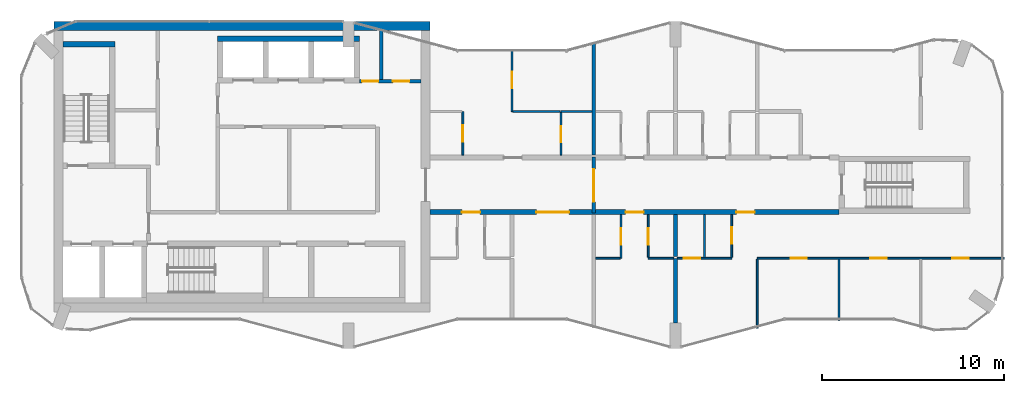
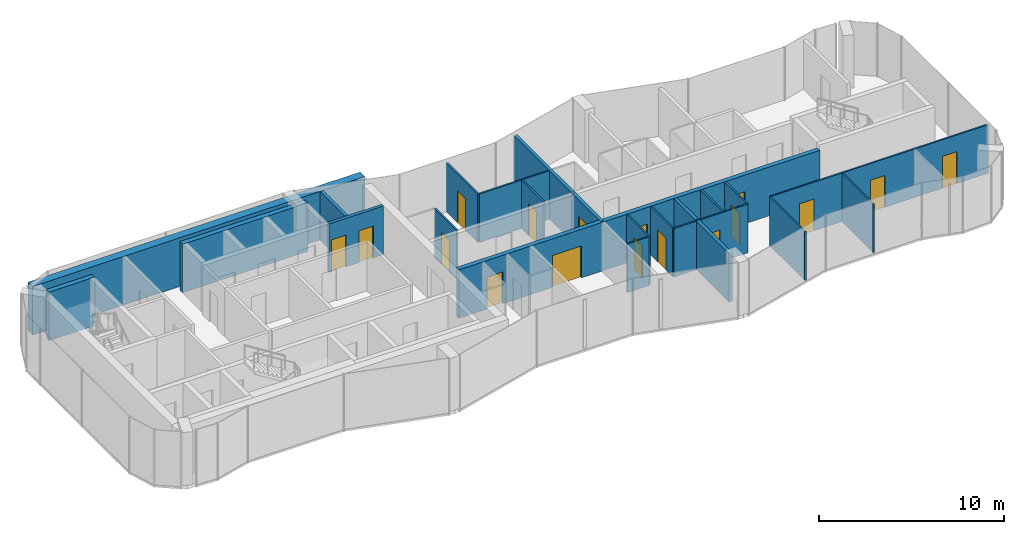
# One storey, part 7 of 9: 25 walls, 17 doors, 17 openings.
"""IFC4 building model written with IfcOpenShell, lengths in metres."""

from ifc_helpers import new_model, si_unit, direction, frame, frame_2d, origin, place, context, subcontext, project, spatial, rectangle, extrude, material, layer, layer_set, type_object, element, fill, save


model = new_model("IFC4")

# Units and contexts
model_context = context("Model", 3, precision=1e-05, world=origin(), true_north=direction((0.0, 1.0)))
body_context = subcontext(model_context, "Body", "Model", "MODEL_VIEW")
ifc_project = project(units=[si_unit("LENGTHUNIT", "METRE"), si_unit("AREAUNIT", "SQUARE_METRE"), si_unit("VOLUMEUNIT", "CUBIC_METRE"), si_unit("PLANEANGLEUNIT", "RADIAN"), si_unit("MASSUNIT", "GRAM", prefix="KILO")], contexts=[model_context])

# Site, building, storey
site_placement = place(None, origin())
site = spatial("IfcSite", under=ifc_project, at=site_placement, CompositionType="ELEMENT")
building_placement = place(site_placement, origin())
building = spatial("IfcBuilding", under=site, at=building_placement, Name="Plateau Cross Towers", CompositionType="ELEMENT")
storey_placement = place(building_placement, frame((0.0, 0.0, 232.89990234375)))
storey = spatial("IfcBuildingStorey", under=building, at=storey_placement, Name="L61", CompositionType="ELEMENT", Elevation=232.89990234375)

# Wall, openings, doors
ifc_material_1 = material(Name="Concrete block, plastered both sides", Category="concrete")
ifc_layer_1 = layer(ifc_material_1, 0.199951171875)
ifc_layer_set_1 = layer_set([ifc_layer_1], Name="Concrete block, plastered both sides")
wall_type_1 = type_object("IfcWallType", Name="Core partition 200", PredefinedType="PARTITIONING", material=ifc_layer_set_1)
wall_1_placement = place(storey_placement, frame((18.60009765625, 14.699951171875, 0.0), z_axis=(0.0, 0.0, 1.0), x_axis=(1.0, 0.0, 0.0)))
wall_1 = element("IfcWall", 1, at=wall_1_placement, inside=storey, type_object=wall_type_1, Name="Core partition", PredefinedType="PARTITIONING", context=body_context, shape_type="SweptSolid", body=[
    extrude(rectangle(XDim=3.39990234375, YDim=0.199951171875, at=frame_2d((1.699951171875, 0.0))), origin(), (0.0, 0.0, 1.0), 3.2001953125),
])
opening_1_placement = place(wall_1_placement, frame((0.14990234375, 0.0, 0.0)))
opening_1 = element("IfcOpeningElement", 2, at=opening_1_placement, cuts=wall_1, Name="Opening RD2", PredefinedType="OPENING", context=body_context, shape_type="SweptSolid", body=[
    extrude(rectangle(XDim=0.89990234375, YDim=2.10009765625, at=frame_2d((0.449951171875, 1.050048828125))), frame((0.0, 0.10986328125, 0.0), z_axis=(0.0, -1.0, 0.0), x_axis=(1.0, 0.0, 0.0)), (0.0, 0.0, 1.0), 0.219970703125),
])
opening_2_placement = place(wall_1_placement, frame((1.85009765625, 0.0, 0.0)))
opening_2 = element("IfcOpeningElement", 3, at=opening_2_placement, cuts=wall_1, Name="Opening RD2", PredefinedType="OPENING", context=body_context, shape_type="SweptSolid", body=[
    extrude(rectangle(XDim=0.89990234375, YDim=2.10009765625, at=frame_2d((0.449951171875, 1.050048828125))), frame((0.0, 0.10986328125, 0.0), z_axis=(0.0, -1.0, 0.0), x_axis=(1.0, 0.0, 0.0)), (0.0, 0.0, 1.0), 0.219970703125),
])
ifc_material_2 = material(Name="Steel, fire-resisting leaf", Category="steel")
door_type_1 = type_object("IfcDoorType", Name="Core riser door 900", OperationType="NOTDEFINED", PredefinedType="DOOR", material=ifc_material_2)
door_1_placement = place(opening_1_placement, origin())
door_1 = element("IfcDoor", 4, at=door_1_placement, inside=storey, type_object=door_type_1, Name="Core riser door RD2", OperationType="SINGLE_SWING_LEFT", OverallHeight=2.10009765625, OverallWidth=0.89990234375, PredefinedType="DOOR", context=body_context, shape_type="SweptSolid", body=[
    extrude(rectangle(XDim=0.89990234375, YDim=2.10009765625, at=frame_2d((0.449951171875, 1.050048828125))), frame((0.0, 0.02490234375, 0.0), z_axis=(0.0, -1.0, 0.0), x_axis=(1.0, 0.0, 0.0)), (0.0, 0.0, 1.0), 0.050048828125),
])
fill(opening_1, door_1)
door_2_placement = place(opening_2_placement, origin())
door_2 = element("IfcDoor", 5, at=door_2_placement, inside=storey, type_object=door_type_1, Name="Core riser door RD2", OperationType="SINGLE_SWING_LEFT", OverallHeight=2.10009765625, OverallWidth=0.89990234375, PredefinedType="DOOR", context=body_context, shape_type="SweptSolid", body=[
    extrude(rectangle(XDim=0.89990234375, YDim=2.10009765625, at=frame_2d((0.449951171875, 1.050048828125))), frame((0.0, 0.02490234375, 0.0), z_axis=(0.0, -1.0, 0.0), x_axis=(1.0, 0.0, 0.0)), (0.0, 0.0, 1.0), 0.050048828125),
])
fill(opening_2, door_2)

# Walls
wall_2_placement = place(storey_placement, frame((19.800048828125, 14.800048828125, 0.0), z_axis=(0.0, 0.0, 1.0), x_axis=(0.0, 1.0, 0.0)))
element("IfcWall", 6, at=wall_2_placement, inside=storey, type_object=wall_type_1, Name="Core partition", PredefinedType="PARTITIONING", context=body_context, shape_type="SweptSolid", body=[
    extrude(rectangle(XDim=2.699951171875, YDim=0.199951171875, at=frame_2d((1.35009765625, 0.0))), origin(), (0.0, 0.0, 1.0), 3.2001953125),
])
ifc_material_3 = material(Name="Concrete C60/75", Category="concrete")
ifc_layer_2 = layer(ifc_material_3, 0.300048828125)
ifc_layer_set_2 = layer_set([ifc_layer_2], Name="Concrete C60/75")
wall_type_2 = type_object("IfcWallType", Name="Core shaft wall 300", PredefinedType="SHEAR", material=ifc_layer_set_2)
wall_3_placement = place(storey_placement, frame((2.300048828125, 16.75, 0.0), z_axis=(0.0, 0.0, 1.0), x_axis=(1.0, 0.0, 0.0)))
element("IfcWall", 7, at=wall_3_placement, inside=storey, type_object=wall_type_2, Name="A-st1-N@L61", PredefinedType="SHEAR", context=body_context, shape_type="SweptSolid", body=[
    extrude(rectangle(XDim=2.849853515625, YDim=0.300048828125, at=frame_2d((1.4248046875, 0.0))), origin(), (0.0, 0.0, 1.0), 3.2001953125),
])
wall_4_placement = place(storey_placement, frame((10.800048828125, 17.050048828125, 0.0), z_axis=(0.0, 0.0, 1.0), x_axis=(1.0, 0.0, 0.0)))
element("IfcWall", 8, at=wall_4_placement, inside=storey, type_object=wall_type_2, Name="A-nb-back@L61", PredefinedType="SHEAR", context=body_context, shape_type="SweptSolid", body=[
    extrude(rectangle(XDim=7.800048828125, YDim=0.300048828125, at=frame_2d((3.89990234375, 0.0))), origin(), (0.0, 0.0, 1.0), 3.2001953125),
])
ifc_layer_3 = layer(ifc_material_3, 0.5)
ifc_layer_set_3 = layer_set([ifc_layer_3], Name="Concrete C60/75")
wall_type_3 = type_object("IfcWallType", Name="Core shell wall 500", PredefinedType="SHEAR", material=ifc_layer_set_3)
wall_5_placement = place(storey_placement, frame((1.800048828125, 17.75, 0.0), z_axis=(0.0, 0.0, 1.0), x_axis=(1.0, 0.0, 0.0)))
element("IfcWall", 9, at=wall_5_placement, inside=storey, type_object=wall_type_3, Name="A-core-N@L61", PredefinedType="SHEAR", context=body_context, shape_type="SweptSolid", body=[
    extrude(rectangle(XDim=20.699951171875, YDim=0.5, at=frame_2d((10.35009765625, 0.0))), origin(), (0.0, 0.0, 1.0), 3.2001953125),
])

# Wall, openings, doors
ifc_layer_4 = layer(ifc_material_3, 0.27490234375)
ifc_layer_set_4 = layer_set([ifc_layer_4], Name="Concrete C60/75")
wall_type_4 = type_object("IfcWallType", Name="Corridor wall 275", PredefinedType="SHEAR", material=ifc_layer_set_4)
wall_6_placement = place(storey_placement, frame((22.5, 7.5, 0.0), z_axis=(0.0, 0.0, 1.0), x_axis=(1.0, 0.0, 0.0)))
wall_6 = element("IfcWall", 10, at=wall_6_placement, inside=storey, type_object=wall_type_4, Name="A-cw-S1@L61", PredefinedType="SHEAR", context=body_context, shape_type="SweptSolid", body=[
    extrude(rectangle(XDim=22.5, YDim=0.27490234375, at=frame_2d((11.25, 0.0))), origin(), (0.0, 0.0, 1.0), 3.2001953125),
])
opening_3_placement = place(wall_6_placement, frame((1.75, 0.0, 0.0)))
opening_3 = element("IfcOpeningElement", 11, at=opening_3_placement, cuts=wall_6, Name="Opening 61-01", PredefinedType="OPENING", context=body_context, shape_type="SweptSolid", body=[
    extrude(rectangle(XDim=1.0, YDim=2.10009765625, at=frame_2d((0.5, 1.050048828125))), frame((0.0, 0.1474609375, 0.0), z_axis=(0.0, -1.0, 0.0), x_axis=(1.0, 0.0, 0.0)), (0.0, 0.0, 1.0), 0.294921875),
])
opening_4_placement = place(wall_6_placement, frame((5.85009765625, 0.0, 0.0)))
opening_4 = element("IfcOpeningElement", 12, at=opening_4_placement, cuts=wall_6, Name="Opening 61-02", PredefinedType="OPENING", context=body_context, shape_type="SweptSolid", body=[
    extrude(rectangle(XDim=1.800048828125, YDim=2.10009765625, at=frame_2d((0.89990234375, 1.050048828125))), frame((0.0, 0.1474609375, 0.0), z_axis=(0.0, -1.0, 0.0), x_axis=(1.0, 0.0, 0.0)), (0.0, 0.0, 1.0), 0.294921875),
])
opening_5_placement = place(wall_6_placement, frame((10.75, 0.0, 0.0)))
opening_5 = element("IfcOpeningElement", 13, at=opening_5_placement, cuts=wall_6, Name="Opening 61-03", PredefinedType="OPENING", context=body_context, shape_type="SweptSolid", body=[
    extrude(rectangle(XDim=1.0, YDim=2.10009765625, at=frame_2d((0.5, 1.050048828125))), frame((0.0, 0.1474609375, 0.0), z_axis=(0.0, -1.0, 0.0), x_axis=(1.0, 0.0, 0.0)), (0.0, 0.0, 1.0), 0.294921875),
])
opening_6_placement = place(wall_6_placement, frame((16.85009765625, 0.0, 0.0)))
opening_6 = element("IfcOpeningElement", 14, at=opening_6_placement, cuts=wall_6, Name="Opening 61-04", PredefinedType="OPENING", context=body_context, shape_type="SweptSolid", body=[
    extrude(rectangle(XDim=1.0, YDim=2.10009765625, at=frame_2d((0.5, 1.050048828125))), frame((0.0, 0.1474609375, 0.0), z_axis=(0.0, -1.0, 0.0), x_axis=(1.0, 0.0, 0.0)), (0.0, 0.0, 1.0), 0.294921875),
])
ifc_material_4 = material(Name="Timber, fire-resisting leaf", Category="wood")
door_type_2 = type_object("IfcDoorType", Name="Flat entrance door 1000", OperationType="NOTDEFINED", PredefinedType="DOOR", material=ifc_material_4)
door_3_placement = place(opening_3_placement, origin())
door_3 = element("IfcDoor", 15, at=door_3_placement, inside=storey, type_object=door_type_2, Name="Door 61-01", OperationType="SINGLE_SWING_LEFT", OverallHeight=2.10009765625, OverallWidth=1.0, PredefinedType="DOOR", context=body_context, shape_type="SweptSolid", body=[
    extrude(rectangle(XDim=1.0, YDim=2.10009765625, at=frame_2d((0.5, 1.050048828125))), frame((0.0, 0.02490234375, 0.0), z_axis=(0.0, -1.0, 0.0), x_axis=(1.0, 0.0, 0.0)), (0.0, 0.0, 1.0), 0.050048828125),
])
fill(opening_3, door_3)
door_4_placement = place(opening_5_placement, origin())
door_4 = element("IfcDoor", 16, at=door_4_placement, inside=storey, type_object=door_type_2, Name="Door 61-03", OperationType="SINGLE_SWING_LEFT", OverallHeight=2.10009765625, OverallWidth=1.0, PredefinedType="DOOR", context=body_context, shape_type="SweptSolid", body=[
    extrude(rectangle(XDim=1.0, YDim=2.10009765625, at=frame_2d((0.5, 1.050048828125))), frame((0.0, 0.02490234375, 0.0), z_axis=(0.0, -1.0, 0.0), x_axis=(1.0, 0.0, 0.0)), (0.0, 0.0, 1.0), 0.050048828125),
])
fill(opening_5, door_4)
door_5_placement = place(opening_6_placement, origin())
door_5 = element("IfcDoor", 17, at=door_5_placement, inside=storey, type_object=door_type_2, Name="Door 61-04", OperationType="SINGLE_SWING_RIGHT", OverallHeight=2.10009765625, OverallWidth=1.0, PredefinedType="DOOR", context=body_context, shape_type="SweptSolid", body=[
    extrude(rectangle(XDim=1.0, YDim=2.10009765625, at=frame_2d((0.5, 1.050048828125))), frame((0.0, 0.02490234375, 0.0), z_axis=(0.0, -1.0, 0.0), x_axis=(1.0, 0.0, 0.0)), (0.0, 0.0, 1.0), 0.050048828125),
])
fill(opening_6, door_5)
ifc_material_5 = material(Name="Timber, fire-resisting leaves", Category="wood")
door_type_3 = type_object("IfcDoorType", Name="Flat floor fire door pair 1800", OperationType="NOTDEFINED", PredefinedType="DOOR", material=ifc_material_5)
door_6_placement = place(opening_4_placement, origin())
door_6 = element("IfcDoor", 18, at=door_6_placement, inside=storey, type_object=door_type_3, Name="Door 61-02", OperationType="SINGLE_SWING_LEFT", OverallHeight=2.10009765625, OverallWidth=1.800048828125, PredefinedType="DOOR", context=body_context, shape_type="SweptSolid", body=[
    extrude(rectangle(XDim=1.800048828125, YDim=2.10009765625, at=frame_2d((0.89990234375, 1.050048828125))), frame((0.0, 0.02490234375, 0.0), z_axis=(0.0, -1.0, 0.0), x_axis=(1.0, 0.0, 0.0)), (0.0, 0.0, 1.0), 0.050048828125),
])
fill(opening_4, door_6)

ifc_material_6 = material(Name="Gypsum board on steel studs", Category="steel")
ifc_layer_5 = layer(ifc_material_6, 0.10009765625)
ifc_layer_set_5 = layer_set([ifc_layer_5], Name="Gypsum board on steel studs")
wall_type_5 = type_object("IfcWallType", Name="Flat partition 100", PredefinedType="PARTITIONING", material=ifc_layer_set_5)
wall_7_placement = place(storey_placement, frame((54.080078125, 4.96240234375, 0.0), z_axis=(0.0, 0.0, 1.0), x_axis=(-1.0, 0.0, 0.0)))
wall_7 = element("IfcWall", 19, at=wall_7_placement, inside=storey, type_object=wall_type_5, Name="Partition wall", PredefinedType="PARTITIONING", context=body_context, shape_type="SweptSolid", body=[
    extrude(rectangle(XDim=13.580078125, YDim=0.10009765625, at=frame_2d((6.7900390625, 0.0))), origin(), (0.0, 0.0, 1.0), 3.2001953125),
])
opening_7_placement = place(wall_7_placement, frame((10.85009765625, 0.0, 0.0)))
opening_7 = element("IfcOpeningElement", 20, at=opening_7_placement, cuts=wall_7, Name="Opening 61-18", PredefinedType="OPENING", context=body_context, shape_type="SweptSolid", body=[
    extrude(rectangle(XDim=0.89990234375, YDim=2.10009765625, at=frame_2d((0.449951171875, 1.050048828125))), frame((0.0, 0.06005859375, 0.0), z_axis=(0.0, -1.0, 0.0), x_axis=(1.0, 0.0, 0.0)), (0.0, 0.0, 1.0), 0.1201171875),
])
opening_8_placement = place(wall_7_placement, frame((6.449951171875, 0.0, 0.0)))
opening_8 = element("IfcOpeningElement", 21, at=opening_8_placement, cuts=wall_7, Name="Opening 61-19", PredefinedType="OPENING", context=body_context, shape_type="SweptSolid", body=[
    extrude(rectangle(XDim=0.89990234375, YDim=2.10009765625, at=frame_2d((0.449951171875, 1.050048828125))), frame((0.0, 0.06005859375, 0.0), z_axis=(0.0, -1.0, 0.0), x_axis=(1.0, 0.0, 0.0)), (0.0, 0.0, 1.0), 0.1201171875),
])
opening_9_placement = place(wall_7_placement, frame((1.949951171875, 0.0, 0.0)))
opening_9 = element("IfcOpeningElement", 22, at=opening_9_placement, cuts=wall_7, Name="Opening 61-20", PredefinedType="OPENING", context=body_context, shape_type="SweptSolid", body=[
    extrude(rectangle(XDim=0.89990234375, YDim=2.10009765625, at=frame_2d((0.449951171875, 1.050048828125))), frame((0.0, 0.06005859375, 0.0), z_axis=(0.0, -1.0, 0.0), x_axis=(1.0, 0.0, 0.0)), (0.0, 0.0, 1.0), 0.1201171875),
])
ifc_material_7 = material(Name="Timber leaf", Category="wood")
door_type_4 = type_object("IfcDoorType", Name="Flat room door 900", OperationType="NOTDEFINED", PredefinedType="DOOR", material=ifc_material_7)
door_7_placement = place(opening_7_placement, origin())
door_7 = element("IfcDoor", 23, at=door_7_placement, inside=storey, type_object=door_type_4, Name="Door 61-18", OperationType="SINGLE_SWING_RIGHT", OverallHeight=2.10009765625, OverallWidth=0.89990234375, PredefinedType="DOOR", context=body_context, shape_type="SweptSolid", body=[
    extrude(rectangle(XDim=0.89990234375, YDim=2.10009765625, at=frame_2d((0.449951171875, 1.050048828125))), frame((0.0, 0.02490234375, 0.0), z_axis=(0.0, -1.0, 0.0), x_axis=(1.0, 0.0, 0.0)), (0.0, 0.0, 1.0), 0.050048828125),
])
fill(opening_7, door_7)
door_8_placement = place(opening_8_placement, origin())
door_8 = element("IfcDoor", 24, at=door_8_placement, inside=storey, type_object=door_type_4, Name="Door 61-19", OperationType="SINGLE_SWING_RIGHT", OverallHeight=2.10009765625, OverallWidth=0.89990234375, PredefinedType="DOOR", context=body_context, shape_type="SweptSolid", body=[
    extrude(rectangle(XDim=0.89990234375, YDim=2.10009765625, at=frame_2d((0.449951171875, 1.050048828125))), frame((0.0, 0.02490234375, 0.0), z_axis=(0.0, -1.0, 0.0), x_axis=(1.0, 0.0, 0.0)), (0.0, 0.0, 1.0), 0.050048828125),
])
fill(opening_8, door_8)
door_9_placement = place(opening_9_placement, origin())
door_9 = element("IfcDoor", 25, at=door_9_placement, inside=storey, type_object=door_type_4, Name="Door 61-20", OperationType="SINGLE_SWING_LEFT", OverallHeight=2.10009765625, OverallWidth=0.89990234375, PredefinedType="DOOR", context=body_context, shape_type="SweptSolid", body=[
    extrude(rectangle(XDim=0.89990234375, YDim=2.10009765625, at=frame_2d((0.449951171875, 1.050048828125))), frame((0.0, 0.02490234375, 0.0), z_axis=(0.0, -1.0, 0.0), x_axis=(1.0, 0.0, 0.0)), (0.0, 0.0, 1.0), 0.050048828125),
])
fill(opening_9, door_9)

# Walls
wall_8_placement = place(storey_placement, frame((31.60009765625, 4.96240234375, 0.0), z_axis=(0.0, 0.0, 1.0), x_axis=(1.0, 0.0, 0.0)))
element("IfcWall", 26, at=wall_8_placement, inside=storey, type_object=wall_type_5, Name="Partition wall", PredefinedType="PARTITIONING", context=body_context, shape_type="SweptSolid", body=[
    extrude(rectangle(XDim=1.349853515625, YDim=0.10009765625, at=frame_2d((0.6748046875, 0.0))), origin(), (0.0, 0.0, 1.0), 3.2001953125),
])
wall_9_placement = place(storey_placement, frame((34.5, 4.96240234375, 0.0), z_axis=(0.0, 0.0, 1.0), x_axis=(1.0, 0.0, 0.0)))
element("IfcWall", 27, at=wall_9_placement, inside=storey, type_object=wall_type_5, Name="Partition wall", PredefinedType="PARTITIONING", context=body_context, shape_type="SweptSolid", body=[
    extrude(rectangle(XDim=1.39990234375, YDim=0.10009765625, at=frame_2d((0.699951171875, 0.0))), origin(), (0.0, 0.0, 1.0), 3.2001953125),
])

# Wall, opening, door
wall_10_placement = place(storey_placement, frame((36.10009765625, 4.96240234375, 0.0), z_axis=(0.0, 0.0, 1.0), x_axis=(1.0, 0.0, 0.0)))
wall_10 = element("IfcWall", 28, at=wall_10_placement, inside=storey, type_object=wall_type_5, Name="Partition wall", PredefinedType="PARTITIONING", context=body_context, shape_type="SweptSolid", body=[
    extrude(rectangle(XDim=3.0, YDim=0.10009765625, at=frame_2d((1.5, 0.0))), origin(), (0.0, 0.0, 1.0), 3.2001953125),
])
opening_10_placement = place(wall_10_placement, frame((0.35009765625, 0.0, 0.0)))
opening_10 = element("IfcOpeningElement", 29, at=opening_10_placement, cuts=wall_10, Name="Opening 61-16", PredefinedType="OPENING", context=body_context, shape_type="SweptSolid", body=[
    extrude(rectangle(XDim=0.89990234375, YDim=2.10009765625, at=frame_2d((0.449951171875, 1.050048828125))), frame((0.0, 0.06005859375, 0.0), z_axis=(0.0, -1.0, 0.0), x_axis=(1.0, 0.0, 0.0)), (0.0, 0.0, 1.0), 0.1201171875),
])
door_10_placement = place(opening_10_placement, origin())
door_10 = element("IfcDoor", 30, at=door_10_placement, inside=storey, type_object=door_type_4, Name="Door 61-16", OperationType="SINGLE_SWING_LEFT", OverallHeight=2.10009765625, OverallWidth=0.89990234375, PredefinedType="DOOR", context=body_context, shape_type="SweptSolid", body=[
    extrude(rectangle(XDim=0.89990234375, YDim=2.10009765625, at=frame_2d((0.449951171875, 1.050048828125))), frame((0.0, 0.02490234375, 0.0), z_axis=(0.0, -1.0, 0.0), x_axis=(1.0, 0.0, 0.0)), (0.0, 0.0, 1.0), 0.050048828125),
])
fill(opening_10, door_10)

# Walls
wall_11_placement = place(storey_placement, frame((31.39990234375, 13.03759765625, 0.0), z_axis=(0.0, 0.0, 1.0), x_axis=(-1.0, 0.0, 0.0)))
element("IfcWall", 31, at=wall_11_placement, inside=storey, type_object=wall_type_5, Name="Partition wall", PredefinedType="PARTITIONING", context=body_context, shape_type="SweptSolid", body=[
    extrude(rectangle(XDim=1.699951171875, YDim=0.10009765625, at=frame_2d((0.85009765625, 0.0))), origin(), (0.0, 0.0, 1.0), 3.2001953125),
])
wall_12_placement = place(storey_placement, frame((27.050048828125, 13.03759765625, 0.0), z_axis=(0.0, 0.0, 1.0), x_axis=(1.0, 0.0, 0.0)))
element("IfcWall", 32, at=wall_12_placement, inside=storey, type_object=wall_type_5, Name="Partition wall", PredefinedType="PARTITIONING", context=body_context, shape_type="SweptSolid", body=[
    extrude(rectangle(XDim=2.599853515625, YDim=0.10009765625, at=frame_2d((1.2998046875, 0.0))), origin(), (0.0, 0.0, 1.0), 3.2001953125),
])

# Wall, opening, door
wall_13_placement = place(storey_placement, frame((24.300048828125, 10.637451171875, 0.0), z_axis=(0.0, 0.0, 1.0), x_axis=(0.0, 1.0, 0.0)))
wall_13 = element("IfcWall", 33, at=wall_13_placement, inside=storey, type_object=wall_type_5, Name="Partition wall", PredefinedType="PARTITIONING", context=body_context, shape_type="SweptSolid", body=[
    extrude(rectangle(XDim=2.400146484375, YDim=0.10009765625, at=frame_2d((1.2001953125, 0.0))), origin(), (0.0, 0.0, 1.0), 3.2001953125),
])
opening_11_placement = place(wall_13_placement, frame((0.75, 0.0, 0.0)))
opening_11 = element("IfcOpeningElement", 34, at=opening_11_placement, cuts=wall_13, Name="Opening 61-21", PredefinedType="OPENING", context=body_context, shape_type="SweptSolid", body=[
    extrude(rectangle(XDim=0.89990234375, YDim=2.10009765625, at=frame_2d((0.449951171875, 1.050048828125))), frame((0.0, 0.06005859375, 0.0), z_axis=(0.0, -1.0, 0.0), x_axis=(1.0, 0.0, 0.0)), (0.0, 0.0, 1.0), 0.1201171875),
])
door_11_placement = place(opening_11_placement, origin())
door_11 = element("IfcDoor", 35, at=door_11_placement, inside=storey, type_object=door_type_4, Name="Door 61-21", OperationType="SINGLE_SWING_LEFT", OverallHeight=2.10009765625, OverallWidth=0.89990234375, PredefinedType="DOOR", context=body_context, shape_type="SweptSolid", body=[
    extrude(rectangle(XDim=0.89990234375, YDim=2.10009765625, at=frame_2d((0.449951171875, 1.050048828125))), frame((0.0, 0.02490234375, 0.0), z_axis=(0.0, -1.0, 0.0), x_axis=(1.0, 0.0, 0.0)), (0.0, 0.0, 1.0), 0.050048828125),
])
fill(opening_11, door_11)

wall_14_placement = place(storey_placement, frame((27.0, 16.47314453125, 0.0), z_axis=(0.0, 0.0, 1.0), x_axis=(0.0, -1.0, 0.0)))
wall_14 = element("IfcWall", 36, at=wall_14_placement, inside=storey, type_object=wall_type_5, Name="Partition wall", PredefinedType="PARTITIONING", context=body_context, shape_type="SweptSolid", body=[
    extrude(rectangle(XDim=3.435546875, YDim=0.10009765625, at=frame_2d((1.7177734375, 0.0))), origin(), (0.0, 0.0, 1.0), 3.2001953125),
])
opening_12_placement = place(wall_14_placement, frame((1.25, 0.0, 0.0)))
opening_12 = element("IfcOpeningElement", 37, at=opening_12_placement, cuts=wall_14, Name="Opening 61-23", PredefinedType="OPENING", context=body_context, shape_type="SweptSolid", body=[
    extrude(rectangle(XDim=0.89990234375, YDim=2.10009765625, at=frame_2d((0.449951171875, 1.050048828125))), frame((0.0, 0.06005859375, 0.0), z_axis=(0.0, -1.0, 0.0), x_axis=(1.0, 0.0, 0.0)), (0.0, 0.0, 1.0), 0.1201171875),
])
door_12_placement = place(opening_12_placement, origin())
door_12 = element("IfcDoor", 38, at=door_12_placement, inside=storey, type_object=door_type_4, Name="Door 61-23", OperationType="SINGLE_SWING_LEFT", OverallHeight=2.10009765625, OverallWidth=0.89990234375, PredefinedType="DOOR", context=body_context, shape_type="SweptSolid", body=[
    extrude(rectangle(XDim=0.89990234375, YDim=2.10009765625, at=frame_2d((0.449951171875, 1.050048828125))), frame((0.0, 0.02490234375, 0.0), z_axis=(0.0, -1.0, 0.0), x_axis=(1.0, 0.0, 0.0)), (0.0, 0.0, 1.0), 0.050048828125),
])
fill(opening_12, door_12)

wall_15_placement = place(storey_placement, frame((29.699951171875, 12.987548828125, 0.0), z_axis=(0.0, 0.0, 1.0), x_axis=(0.0, -1.0, 0.0)))
wall_15 = element("IfcWall", 39, at=wall_15_placement, inside=storey, type_object=wall_type_5, Name="Partition wall", PredefinedType="PARTITIONING", context=body_context, shape_type="SweptSolid", body=[
    extrude(rectangle(XDim=2.35009765625, YDim=0.10009765625, at=frame_2d((1.175048828125, 0.0))), origin(), (0.0, 0.0, 1.0), 3.2001953125),
])
opening_13_placement = place(wall_15_placement, frame((0.75, 0.0, 0.0)))
opening_13 = element("IfcOpeningElement", 40, at=opening_13_placement, cuts=wall_15, Name="Opening 61-22", PredefinedType="OPENING", context=body_context, shape_type="SweptSolid", body=[
    extrude(rectangle(XDim=0.89990234375, YDim=2.10009765625, at=frame_2d((0.449951171875, 1.050048828125))), frame((0.0, 0.06005859375, 0.0), z_axis=(0.0, -1.0, 0.0), x_axis=(1.0, 0.0, 0.0)), (0.0, 0.0, 1.0), 0.1201171875),
])
door_13_placement = place(opening_13_placement, origin())
door_13 = element("IfcDoor", 41, at=door_13_placement, inside=storey, type_object=door_type_4, Name="Door 61-22", OperationType="SINGLE_SWING_RIGHT", OverallHeight=2.10009765625, OverallWidth=0.89990234375, PredefinedType="DOOR", context=body_context, shape_type="SweptSolid", body=[
    extrude(rectangle(XDim=0.89990234375, YDim=2.10009765625, at=frame_2d((0.449951171875, 1.050048828125))), frame((0.0, 0.02490234375, 0.0), z_axis=(0.0, -1.0, 0.0), x_axis=(1.0, 0.0, 0.0)), (0.0, 0.0, 1.0), 0.050048828125),
])
fill(opening_13, door_13)

wall_16_placement = place(storey_placement, frame((33.0, 4.96240234375, 0.0), z_axis=(0.0, 0.0, 1.0), x_axis=(0.0, 1.0, 0.0)))
wall_16 = element("IfcWall", 42, at=wall_16_placement, inside=storey, type_object=wall_type_5, Name="Partition wall", PredefinedType="PARTITIONING", context=body_context, shape_type="SweptSolid", body=[
    extrude(rectangle(XDim=2.400146484375, YDim=0.10009765625, at=frame_2d((1.2001953125, 0.0))), origin(), (0.0, 0.0, 1.0), 3.2001953125),
])
opening_14_placement = place(wall_16_placement, frame((0.75, 0.0, 0.0)))
opening_14 = element("IfcOpeningElement", 43, at=opening_14_placement, cuts=wall_16, Name="Opening 61-14", PredefinedType="OPENING", context=body_context, shape_type="SweptSolid", body=[
    extrude(rectangle(XDim=0.89990234375, YDim=2.10009765625, at=frame_2d((0.449951171875, 1.050048828125))), frame((0.0, 0.06005859375, 0.0), z_axis=(0.0, -1.0, 0.0), x_axis=(1.0, 0.0, 0.0)), (0.0, 0.0, 1.0), 0.1201171875),
])
door_14_placement = place(opening_14_placement, origin())
door_14 = element("IfcDoor", 44, at=door_14_placement, inside=storey, type_object=door_type_4, Name="Door 61-14", OperationType="SINGLE_SWING_RIGHT", OverallHeight=2.10009765625, OverallWidth=0.89990234375, PredefinedType="DOOR", context=body_context, shape_type="SweptSolid", body=[
    extrude(rectangle(XDim=0.89990234375, YDim=2.10009765625, at=frame_2d((0.449951171875, 1.050048828125))), frame((0.0, 0.02490234375, 0.0), z_axis=(0.0, -1.0, 0.0), x_axis=(1.0, 0.0, 0.0)), (0.0, 0.0, 1.0), 0.050048828125),
])
fill(opening_14, door_14)

wall_17_placement = place(storey_placement, frame((34.5, 7.362548828125, 0.0), z_axis=(0.0, 0.0, 1.0), x_axis=(0.0, -1.0, 0.0)))
wall_17 = element("IfcWall", 45, at=wall_17_placement, inside=storey, type_object=wall_type_5, Name="Partition wall", PredefinedType="PARTITIONING", context=body_context, shape_type="SweptSolid", body=[
    extrude(rectangle(XDim=2.35009765625, YDim=0.10009765625, at=frame_2d((1.175048828125, 0.0))), origin(), (0.0, 0.0, 1.0), 3.2001953125),
])
opening_15_placement = place(wall_17_placement, frame((0.75, 0.0, 0.0)))
opening_15 = element("IfcOpeningElement", 46, at=opening_15_placement, cuts=wall_17, Name="Opening 61-15", PredefinedType="OPENING", context=body_context, shape_type="SweptSolid", body=[
    extrude(rectangle(XDim=0.89990234375, YDim=2.10009765625, at=frame_2d((0.449951171875, 1.050048828125))), frame((0.0, 0.06005859375, 0.0), z_axis=(0.0, -1.0, 0.0), x_axis=(1.0, 0.0, 0.0)), (0.0, 0.0, 1.0), 0.1201171875),
])
door_15_placement = place(opening_15_placement, origin())
door_15 = element("IfcDoor", 47, at=door_15_placement, inside=storey, type_object=door_type_4, Name="Door 61-15", OperationType="SINGLE_SWING_RIGHT", OverallHeight=2.10009765625, OverallWidth=0.89990234375, PredefinedType="DOOR", context=body_context, shape_type="SweptSolid", body=[
    extrude(rectangle(XDim=0.89990234375, YDim=2.10009765625, at=frame_2d((0.449951171875, 1.050048828125))), frame((0.0, 0.02490234375, 0.0), z_axis=(0.0, -1.0, 0.0), x_axis=(1.0, 0.0, 0.0)), (0.0, 0.0, 1.0), 0.050048828125),
])
fill(opening_15, door_15)

# Wall
wall_18_placement = place(storey_placement, frame((37.60009765625, 5.012451171875, 0.0), z_axis=(0.0, 0.0, 1.0), x_axis=(0.0, 1.0, 0.0)))
element("IfcWall", 48, at=wall_18_placement, inside=storey, type_object=wall_type_5, Name="Partition wall", PredefinedType="PARTITIONING", context=body_context, shape_type="SweptSolid", body=[
    extrude(rectangle(XDim=2.35009765625, YDim=0.10009765625, at=frame_2d((1.175048828125, 0.0))), origin(), (0.0, 0.0, 1.0), 3.2001953125),
])

# Wall, opening, door
wall_19_placement = place(storey_placement, frame((39.10009765625, 5.012451171875, 0.0), z_axis=(0.0, 0.0, 1.0), x_axis=(0.0, 1.0, 0.0)))
wall_19 = element("IfcWall", 49, at=wall_19_placement, inside=storey, type_object=wall_type_5, Name="Partition wall", PredefinedType="PARTITIONING", context=body_context, shape_type="SweptSolid", body=[
    extrude(rectangle(XDim=2.35009765625, YDim=0.10009765625, at=frame_2d((1.175048828125, 0.0))), origin(), (0.0, 0.0, 1.0), 3.2001953125),
])
opening_16_placement = place(wall_19_placement, frame((0.75, 0.0, 0.0)))
opening_16 = element("IfcOpeningElement", 50, at=opening_16_placement, cuts=wall_19, Name="Opening 61-17", PredefinedType="OPENING", context=body_context, shape_type="SweptSolid", body=[
    extrude(rectangle(XDim=0.89990234375, YDim=2.10009765625, at=frame_2d((0.449951171875, 1.050048828125))), frame((0.0, 0.06005859375, 0.0), z_axis=(0.0, -1.0, 0.0), x_axis=(1.0, 0.0, 0.0)), (0.0, 0.0, 1.0), 0.1201171875),
])
door_16_placement = place(opening_16_placement, origin())
door_16 = element("IfcDoor", 51, at=door_16_placement, inside=storey, type_object=door_type_4, Name="Door 61-17", OperationType="SINGLE_SWING_RIGHT", OverallHeight=2.10009765625, OverallWidth=0.89990234375, PredefinedType="DOOR", context=body_context, shape_type="SweptSolid", body=[
    extrude(rectangle(XDim=0.89990234375, YDim=2.10009765625, at=frame_2d((0.449951171875, 1.050048828125))), frame((0.0, 0.02490234375, 0.0), z_axis=(0.0, -1.0, 0.0), x_axis=(1.0, 0.0, 0.0)), (0.0, 0.0, 1.0), 0.050048828125),
])
fill(opening_16, door_16)

# Walls
wall_20_placement = place(storey_placement, frame((40.5, 4.91259765625, 0.0), z_axis=(0.0, 0.0, 1.0), x_axis=(0.0, -1.0, 0.0)))
element("IfcWall", 52, at=wall_20_placement, inside=storey, type_object=wall_type_5, Name="Partition wall", PredefinedType="PARTITIONING", context=body_context, shape_type="SweptSolid", body=[
    extrude(rectangle(XDim=3.790283203125, YDim=0.10009765625, at=frame_2d((1.89501953125, 0.0))), origin(), (0.0, 0.0, 1.0), 3.2001953125),
])
wall_21_placement = place(storey_placement, frame((45.0, 1.52685546875, 0.0), z_axis=(0.0, 0.0, 1.0), x_axis=(0.0, 1.0, 0.0)))
element("IfcWall", 53, at=wall_21_placement, inside=storey, type_object=wall_type_5, Name="Partition wall", PredefinedType="PARTITIONING", context=body_context, shape_type="SweptSolid", body=[
    extrude(rectangle(XDim=3.3857421875, YDim=0.10009765625, at=frame_2d((1.69287109375, 0.0))), origin(), (0.0, 0.0, 1.0), 3.2001953125),
])
ifc_material_8 = material(Name="Gypsum board on steel studs, two layers each side", Category="steel")
ifc_layer_6 = layer(ifc_material_8, 0.199951171875)
ifc_layer_set_6 = layer_set([ifc_layer_6], Name="Gypsum board on steel studs, two layers each side")
wall_type_6 = type_object("IfcWallType", Name="Flat party wall 200", PredefinedType="PARTITIONING", material=ifc_layer_set_6)
wall_22_placement = place(storey_placement, frame((31.5, 10.637451171875, 0.0), z_axis=(0.0, 0.0, 1.0), x_axis=(0.0, 1.0, 0.0)))
element("IfcWall", 54, at=wall_22_placement, inside=storey, type_object=wall_type_6, Name="Party wall", PredefinedType="PARTITIONING", context=body_context, shape_type="SweptSolid", body=[
    extrude(rectangle(XDim=6.240234375, YDim=0.199951171875, at=frame_2d((3.1201171875, 0.0))), origin(), (0.0, 0.0, 1.0), 3.2001953125),
])
wall_23_placement = place(storey_placement, frame((36.0, 4.96240234375, 0.0), z_axis=(0.0, 0.0, 1.0), x_axis=(0.0, -1.0, 0.0)))
element("IfcWall", 55, at=wall_23_placement, inside=storey, type_object=wall_type_6, Name="Party wall", PredefinedType="PARTITIONING", context=body_context, shape_type="SweptSolid", body=[
    extrude(rectangle(XDim=3.5625, YDim=0.199951171875, at=frame_2d((1.78125, 0.0))), origin(), (0.0, 0.0, 1.0), 3.2001953125),
])
wall_24_placement = place(storey_placement, frame((36.0, 5.0625, 0.0), z_axis=(0.0, 0.0, 1.0), x_axis=(0.0, 1.0, 0.0)))
element("IfcWall", 56, at=wall_24_placement, inside=storey, type_object=wall_type_6, Name="Party wall", PredefinedType="PARTITIONING", context=body_context, shape_type="SweptSolid", body=[
    extrude(rectangle(XDim=2.300048828125, YDim=0.199951171875, at=frame_2d((1.14990234375, 0.0))), origin(), (0.0, 0.0, 1.0), 3.2001953125),
])

# Wall, opening, door
wall_25_placement = place(storey_placement, frame((31.5, 7.46240234375, 0.0), z_axis=(0.0, 0.0, 1.0), x_axis=(0.0, 1.0, 0.0)))
wall_25 = element("IfcWall", 57, at=wall_25_placement, inside=storey, type_object=wall_type_6, Name="Party wall", PredefinedType="PARTITIONING", context=body_context, shape_type="SweptSolid", body=[
    extrude(rectangle(XDim=3.0751953125, YDim=0.199951171875, at=frame_2d((1.53759765625, 0.0))), origin(), (0.0, 0.0, 1.0), 3.2001953125),
])
opening_17_placement = place(wall_25_placement, frame((0.60009765625, 0.0, 0.0)))
opening_17 = element("IfcOpeningElement", 58, at=opening_17_placement, cuts=wall_25, Name="Opening 61-10", PredefinedType="OPENING", context=body_context, shape_type="SweptSolid", body=[
    extrude(rectangle(XDim=1.800048828125, YDim=2.10009765625, at=frame_2d((0.89990234375, 1.050048828125))), frame((0.0, 0.10986328125, 0.0), z_axis=(0.0, -1.0, 0.0), x_axis=(1.0, 0.0, 0.0)), (0.0, 0.0, 1.0), 0.219970703125),
])
door_17_placement = place(opening_17_placement, origin())
door_17 = element("IfcDoor", 59, at=door_17_placement, inside=storey, type_object=door_type_3, Name="Door 61-10", OperationType="SINGLE_SWING_LEFT", OverallHeight=2.10009765625, OverallWidth=1.800048828125, PredefinedType="DOOR", context=body_context, shape_type="SweptSolid", body=[
    extrude(rectangle(XDim=1.800048828125, YDim=2.10009765625, at=frame_2d((0.89990234375, 1.050048828125))), frame((0.0, 0.02490234375, 0.0), z_axis=(0.0, -1.0, 0.0), x_axis=(1.0, 0.0, 0.0)), (0.0, 0.0, 1.0), 0.050048828125),
])
fill(opening_17, door_17)

save(model, "model.ifc")
